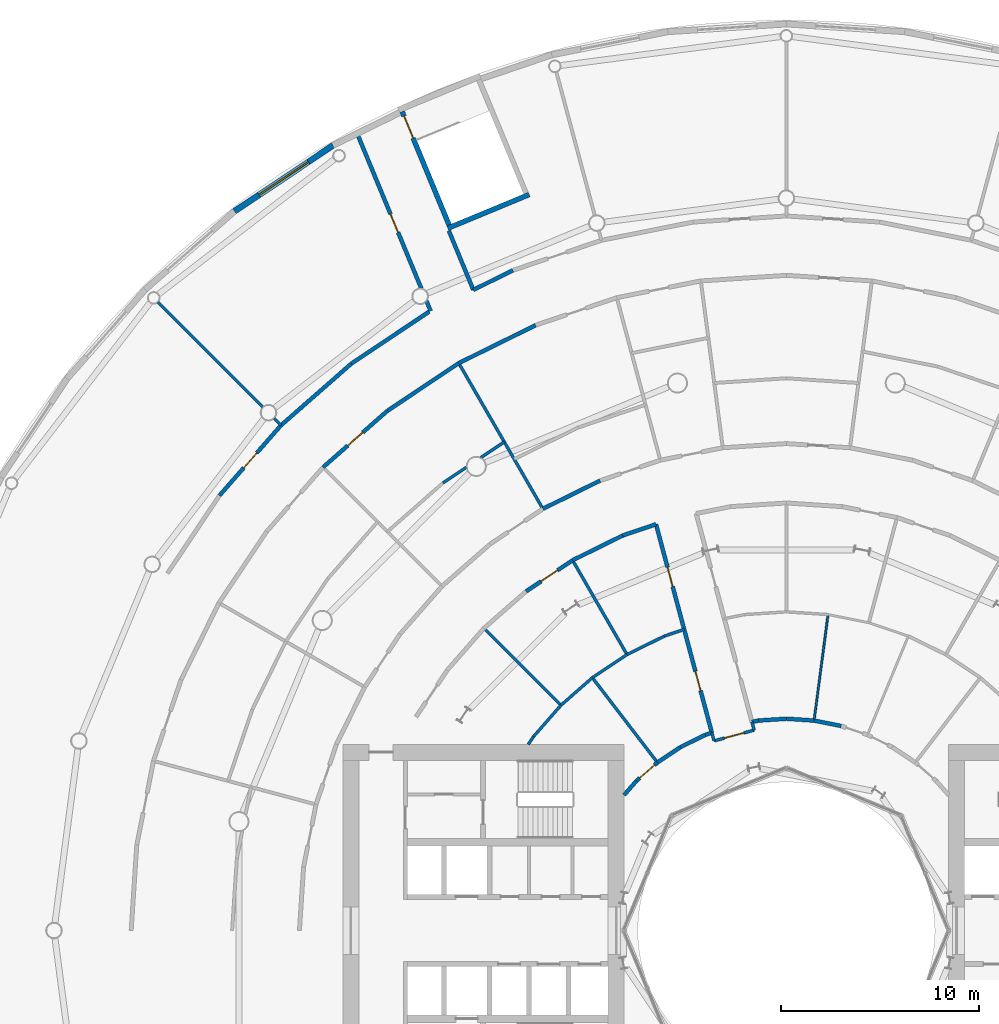
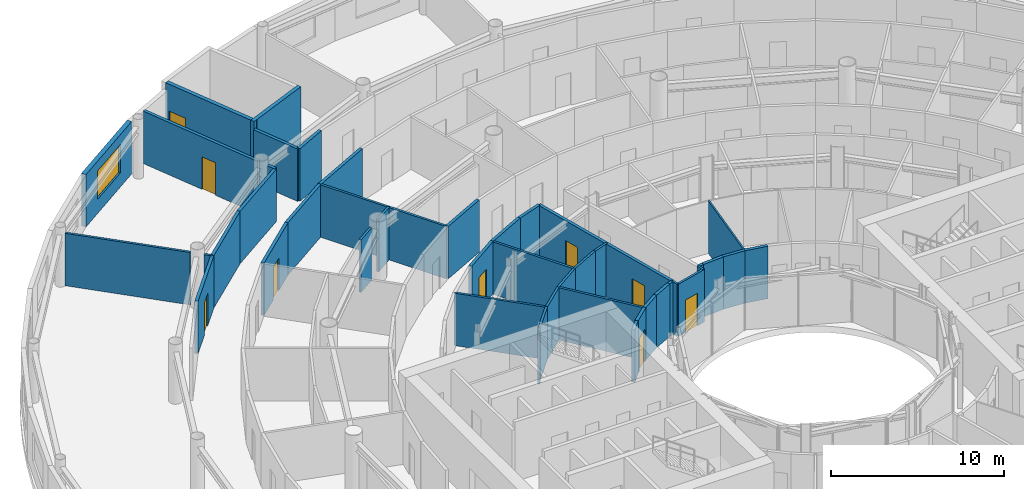
# One storey, part 20 of 29: 45 walls, 9 doors, 1 window, 10 openings.
"""IFC4 building model written with IfcOpenShell, lengths in metres."""

import ifcopenshell
import ifcopenshell.guid

model = None  # the IFC model being written
_history = None  # IfcOwnerHistory: only IFC2X3 demands one
_inside = {}  # id of a spatial element -> (the spatial element, [elements in it])
_under = {}  # id of a project, library or spatial element -> (it, [spatial elements below it])
_declared = {}  # id of a project -> (the project, [libraries it declares])
_typed = {}  # id of a type object -> (the type object, [elements of that type])
_made_of = {}  # id of a material, layer set ... -> (it, [elements and type objects made of it])


def new_model(schema):
    """Start an empty IFC model of exactly this schema.

    Asked for "IFC4X3", IfcOpenShell would pick the latest addendum, in which some entities
    have other attributes; the version numbers below select the first issue.
    IFC2X3 requires an IfcOwnerHistory on every rooted entity: one is made here for all.
    """
    global model, _history
    if schema == "IFC4X3":
        model = ifcopenshell.file(schema_version=(4, 3, 0, 0))
    else:
        model = ifcopenshell.file(schema=schema)
    _inside.clear()
    _under.clear()
    _declared.clear()
    _typed.clear()
    _made_of.clear()
    _history = None
    if model.schema == "IFC2X3":
        org = make("IfcOrganization", Name="unknown")
        user = make(
            "IfcPersonAndOrganization",
            ThePerson=make("IfcPerson", FamilyName="unknown"),
            TheOrganization=org,
        )
        app = make(
            "IfcApplication",
            ApplicationDeveloper=org,
            Version="unknown",
            ApplicationFullName="unknown",
            ApplicationIdentifier="unknown",
        )
        _history = make(
            "IfcOwnerHistory",
            OwningUser=user,
            OwningApplication=app,
            ChangeAction="ADDED",
            CreationDate=0,
        )
    return model


def make(cls, **values):
    """One entity of the class cls with the attributes given. An attribute that is None is left unset."""
    return model.create_entity(
        cls, **{name: value for name, value in values.items() if value is not None}
    )


def rooted(cls, **values):
    """An entity with a GlobalId (a new one), such as an element, a storey or a relation."""
    return make(cls, GlobalId=ifcopenshell.guid.new(), OwnerHistory=_history, **values)


def si_unit(unit_type, name, prefix=None):
    """IfcSIUnit, for example si_unit("LENGTHUNIT", "METRE", prefix="MILLI")."""
    return make("IfcSIUnit", UnitType=unit_type, Prefix=prefix, Name=name)


def assignment(units):
    """IfcUnitAssignment: the units of a project."""
    return None if units is None else make("IfcUnitAssignment", Units=units)


def point(xyz):
    """IfcCartesianPoint."""
    return None if xyz is None else make("IfcCartesianPoint", Coordinates=xyz)


def direction(xyz):
    """IfcDirection."""
    return None if xyz is None else make("IfcDirection", DirectionRatios=xyz)


def frame(location, z_axis=None, x_axis=None):
    """IfcAxis2Placement3D, a coordinate frame: its origin and axes. An axis left out is left unset."""
    return make(
        "IfcAxis2Placement3D",
        Location=point(location),
        Axis=direction(z_axis),
        RefDirection=direction(x_axis),
    )


def frame_2d(location, x_axis=None):
    """IfcAxis2Placement2D, a coordinate frame in the plane: its origin and x axis."""
    return make(
        "IfcAxis2Placement2D", Location=point(location), RefDirection=direction(x_axis)
    )


def origin():
    """The frame at (0, 0, 0) with its axes left unset."""
    return frame((0.0, 0.0, 0.0))


def place(relative_to, where):
    """IfcLocalPlacement: puts the frame where relative to a parent placement (None: the world)."""
    return make(
        "IfcLocalPlacement", PlacementRelTo=relative_to, RelativePlacement=where
    )


def context(
    kind, dimensions, precision=None, world=None, true_north=None, identifier=None
):
    """IfcGeometricRepresentationContext, for example the 3D "Model" context."""
    return make(
        "IfcGeometricRepresentationContext",
        ContextIdentifier=identifier,
        ContextType=kind,
        CoordinateSpaceDimension=dimensions,
        Precision=precision,
        WorldCoordinateSystem=world,
        TrueNorth=true_north,
    )


def subcontext(parent, identifier, kind, view, scale=None):
    """IfcGeometricRepresentationSubContext, for example "Body" below "Model"."""
    return make(
        "IfcGeometricRepresentationSubContext",
        ContextIdentifier=identifier,
        ContextType=kind,
        ParentContext=parent,
        TargetScale=scale,
        TargetView=view,
    )


def project(units=None, contexts=None):
    """IfcProject with its units and contexts."""
    return rooted(
        "IfcProject",
        Name="project",
        RepresentationContexts=contexts,
        UnitsInContext=assignment(units),
    )


def spatial(cls, under=None, at=None, **own):
    """A site, building, storey or space (cls), placed at a placement, below another one or the project."""
    s = rooted(cls, ObjectPlacement=at, **own)
    if under is not None:
        _under.setdefault(under.id(), (under, []))[1].append(s)
    return s


def profile(cls, at=None, kind="AREA", **sizes):
    """A parametric profile (cls). Its sizes go by their IFC names, for example OverallWidth=200.0."""
    return make(cls, ProfileType=kind, Position=at, **sizes)


def rectangle(**sizes):
    """IfcRectangleProfileDef."""
    return profile("IfcRectangleProfileDef", **sizes)


def extrude(swept, where, along, depth):
    """IfcExtrudedAreaSolid: the profile swept, set in the frame where, extruded along a direction by depth."""
    return make(
        "IfcExtrudedAreaSolid",
        SweptArea=swept,
        Position=where,
        ExtrudedDirection=direction(along),
        Depth=depth,
    )


def shape(context_of_items, identifier, shape_type, items):
    """IfcShapeRepresentation: the items that make up one representation, for example the "Body"."""
    return make(
        "IfcShapeRepresentation",
        ContextOfItems=context_of_items,
        RepresentationIdentifier=identifier,
        RepresentationType=shape_type,
        Items=items,
    )


def material(Name=None, Category=None):
    """IfcMaterial."""
    return make("IfcMaterial", Name=Name, Category=Category)


def layer(
    of_material, thickness, ventilated=None, Name=None, Category=None, Priority=None
):
    """IfcMaterialLayer: one layer of a wall or slab, of a material (None: an air gap)."""
    return make(
        "IfcMaterialLayer",
        Material=of_material,
        LayerThickness=thickness,
        IsVentilated=ventilated,
        Name=Name,
        Category=Category,
        Priority=Priority,
    )


def layer_set(layers, Name=None):
    """IfcMaterialLayerSet."""
    return make("IfcMaterialLayerSet", MaterialLayers=layers, LayerSetName=Name)


def made_of(thing, what):
    """Note that an element or type object is made of a material, layer set ...; save() writes the relation."""
    if what is not None:
        _made_of.setdefault(what.id(), (what, []))[1].append(thing)
    return thing


def type_object(cls, material=None, **own):
    """A type object (cls), such as IfcWallType, which elements share."""
    return made_of(rooted(cls, **own), material)


def element(
    cls,
    number,
    at=None,
    inside=None,
    cuts=None,
    type_object=None,
    material=None,
    context=None,
    identifier="Body",
    shape_type=None,
    held_by="IfcProductDefinitionShape",
    body=None,
    shapes=None,
    **own,
):
    """One element of the class cls, such as IfcWall. Its Tag is "e" and its number.

    at: its placement. inside: the storey or other place that contains it. cuts: it is an
    opening in that element (IfcRelVoidsElement). A single representation is given by context,
    identifier, shape_type and body (its items); several are given by shapes. held_by: the class
    of the entity that holds the representations. save() writes the other relations.
    """
    e = rooted(cls, Tag="e%d" % number, ObjectPlacement=at, **own)
    if body is not None:
        shapes = [shape(context, identifier, shape_type, body)]
    if shapes is not None:
        e.Representation = make(held_by, Representations=shapes)
    if inside is not None:
        _inside.setdefault(inside.id(), (inside, []))[1].append(e)
    if cuts is not None:
        rooted(
            "IfcRelVoidsElement", RelatingBuildingElement=cuts, RelatedOpeningElement=e
        )
    if type_object is not None:
        _typed.setdefault(type_object.id(), (type_object, []))[1].append(e)
    return made_of(e, material)


def fill(opening, filler):
    """IfcRelFillsElement: the door or window that sits in an opening."""
    return rooted(
        "IfcRelFillsElement",
        RelatingOpeningElement=opening,
        RelatedBuildingElement=filler,
    )


def aggregate(whole, parts):
    """IfcRelAggregates: a whole, such as a stair, and the parts it consists of."""
    return rooted("IfcRelAggregates", RelatingObject=whole, RelatedObjects=parts)


def save(model, path):
    """Write the relations noted so far, then the file.

    IfcRelAggregates (storeys below a building ...), IfcRelContainedInSpatialStructure (elements
    in a storey), IfcRelDefinesByType, IfcRelAssociatesMaterial and IfcRelDeclares: one each for
    every whole, place, type object, material and project.
    """
    for whole, parts in _under.values():
        aggregate(whole, parts)
    for where, things in _inside.values():
        rooted(
            "IfcRelContainedInSpatialStructure",
            RelatedElements=things,
            RelatingStructure=where,
        )
    for kind, things in _typed.values():
        rooted("IfcRelDefinesByType", RelatedObjects=things, RelatingType=kind)
    for what, things in _made_of.values():
        rooted("IfcRelAssociatesMaterial", RelatedObjects=things, RelatingMaterial=what)
    for by, libraries in _declared.values():
        rooted("IfcRelDeclares", RelatingContext=by, RelatedDefinitions=libraries)
    model.write(path)


model = new_model("IFC4")

# Units and contexts
model_context = context("Model", 3, precision=1e-05, world=origin(), true_north=direction((0.0, 1.0)))
body_context = subcontext(model_context, "Body", "Model", "MODEL_VIEW")
ifc_project = project(units=[si_unit("LENGTHUNIT", "METRE"), si_unit("AREAUNIT", "SQUARE_METRE"), si_unit("VOLUMEUNIT", "CUBIC_METRE"), si_unit("PLANEANGLEUNIT", "RADIAN"), si_unit("MASSUNIT", "GRAM", prefix="KILO")], contexts=[model_context])

# Site, building, storey
site_placement = place(None, origin())
site = spatial("IfcSite", under=ifc_project, at=site_placement, CompositionType="ELEMENT")
building_placement = place(site_placement, origin())
building = spatial("IfcBuilding", under=site, at=building_placement, Name="Maasbend Ring Residences", CompositionType="ELEMENT")
storey_placement = place(building_placement, frame((0.0, 0.0, 5.39990234375)))
storey = spatial("IfcBuildingStorey", under=building, at=storey_placement, Name="L01", CompositionType="ELEMENT", Elevation=5.39990234375)

# Wall, opening, door
ifc_material_1 = material(Name="Concrete C70/85", Category="concrete")
ifc_layer_1 = layer(ifc_material_1, 0.25)
ifc_layer_set_1 = layer_set([ifc_layer_1], Name="Concrete C70/85")
wall_type_1 = type_object("IfcWallType", Name="CORE WALL 250 C70/85", PredefinedType="SHEAR", material=ifc_layer_set_1)
wall_1_placement = place(storey_placement, frame((-19.40966796875, 41.37158203125, 0.0), z_axis=(0.0, 0.0, 1.0), x_axis=(0.382666023753, -0.923886743203, 0.0)))
wall_1 = element("IfcWall", 1, at=wall_1_placement, inside=storey, type_object=wall_type_1, Name="L01 ST-P1 enclosure wall WS+", PredefinedType="SHEAR", context=body_context, shape_type="SweptSolid", body=[
    extrude(rectangle(XDim=6.4501953125, YDim=0.25, at=frame_2d((3.22509765625, 0.0))), origin(), (0.0, 0.0, 1.0), 4.2001953125),
])
opening_1_placement = place(wall_1_placement, frame((0.25, 0.0, 0.0)))
opening_1 = element("IfcOpeningElement", 2, at=opening_1_placement, cuts=wall_1, Name="Opening D-P101S", PredefinedType="OPENING", context=body_context, shape_type="SweptSolid", body=[
    extrude(rectangle(XDim=1.199951171875, YDim=2.300048828125, at=frame_2d((0.60009765625, 1.14990234375))), frame((0.0, 0.135009765625, 0.0), z_axis=(0.0, -1.0, 0.0), x_axis=(1.0, 0.0, 0.0)), (0.0, 0.0, 1.0), 0.27001953125),
])
ifc_material_2 = material(Name="Steel, powder coated", Category="steel")
door_type_1 = type_object("IfcDoorType", Name="STAIR DOOR 1200 X 2300 FD60", OperationType="NOTDEFINED", PredefinedType="DOOR", material=ifc_material_2)
door_1_placement = place(opening_1_placement, origin())
door_1 = element("IfcDoor", 3, at=door_1_placement, inside=storey, type_object=door_type_1, Name="Stair door ST-P1 L01", OperationType="SINGLE_SWING_RIGHT", OverallHeight=2.300048828125, OverallWidth=1.199951171875, PredefinedType="DOOR", context=body_context, shape_type="SweptSolid", body=[
    extrude(rectangle(XDim=1.199951171875, YDim=2.300048828125, at=frame_2d((0.60009765625, 1.14990234375))), frame((0.0, 0.02490234375, 0.0), z_axis=(0.0, -1.0, 0.0), x_axis=(1.0, 0.0, 0.0)), (0.0, 0.0, 1.0), 0.050048828125),
])
fill(opening_1, door_1)

# Wall
wall_2_placement = place(storey_placement, frame((-12.993408203125, 37.18310546875, 0.0), z_axis=(0.0, 0.0, 1.0), x_axis=(-0.923867048273, -0.382713570591, 0.0)))
element("IfcWall", 4, at=wall_2_placement, inside=storey, type_object=wall_type_1, Name="L01 ST-P1 enclosure wall WIN", PredefinedType="SHEAR", context=body_context, shape_type="SweptSolid", body=[
    extrude(rectangle(XDim=4.4501953125, YDim=0.25, at=frame_2d((2.22509765625, 0.0))), origin(), (0.0, 0.0, 1.0), 4.2001953125),
])

# Wall, opening, door
ifc_material_3 = material(Name="Concrete C30/37", Category="concrete")
ifc_layer_2 = layer(ifc_material_3, 0.199951171875)
ifc_layer_set_2 = layer_set([ifc_layer_2], Name="Concrete C30/37")
wall_type_2 = type_object("IfcWallType", Name="CORRIDOR WALL 200 CONCRETE", PredefinedType="PARTITIONING", material=ifc_layer_set_2)
wall_3_placement = place(storey_placement, frame((-21.64501953125, 40.172119140625, 0.0), z_axis=(0.0, 0.0, 1.0), x_axis=(0.382636845375, -0.923898828098, 0.0)))
wall_3 = element("IfcWall", 5, at=wall_3_placement, inside=storey, type_object=wall_type_2, Name="U-L01-w121", PredefinedType="PARTITIONING", context=body_context, shape_type="SweptSolid", body=[
    extrude(rectangle(XDim=8.37109375, YDim=0.199951171875, at=frame_2d((4.185546875, 0.0))), origin(), (0.0, 0.0, 1.0), 3.7001953125),
])
opening_2_placement = place(wall_3_placement, frame((4.300048828125, 0.0, 0.0)))
opening_2 = element("IfcOpeningElement", 6, at=opening_2_placement, cuts=wall_3, Name="Opening D-0177", PredefinedType="OPENING", context=body_context, shape_type="SweptSolid", body=[
    extrude(rectangle(XDim=1.0, YDim=2.300048828125, at=frame_2d((0.5, 1.14990234375))), frame((0.0, 0.10986328125, 0.0), z_axis=(0.0, -1.0, 0.0), x_axis=(1.0, 0.0, 0.0)), (0.0, 0.0, 1.0), 0.219970703125),
])
ifc_material_4 = material(Name="Timber, painted", Category="wood")
door_type_2 = type_object("IfcDoorType", Name="ROOM DOOR 1000 X 2300", OperationType="NOTDEFINED", PredefinedType="DOOR", material=ifc_material_4)
door_2_placement = place(opening_2_placement, origin())
door_2 = element("IfcDoor", 7, at=door_2_placement, inside=storey, type_object=door_type_2, Name="D-0177", OperationType="SINGLE_SWING_RIGHT", OverallHeight=2.300048828125, OverallWidth=1.0, PredefinedType="DOOR", context=body_context, shape_type="SweptSolid", body=[
    extrude(rectangle(XDim=1.0, YDim=2.300048828125, at=frame_2d((0.5, 1.14990234375))), frame((0.0, 0.02490234375, 0.0), z_axis=(0.0, -1.0, 0.0), x_axis=(1.0, 0.0, 0.0)), (0.0, 0.0, 1.0), 0.050048828125),
])
fill(opening_2, door_2)

# Walls
wall_4_placement = place(storey_placement, frame((-18.179931640625, 31.803955078125, 0.0), z_axis=(0.0, 0.0, 1.0), x_axis=(0.382827984663, -0.92381964374, 0.0)))
element("IfcWall", 8, at=wall_4_placement, inside=storey, type_object=wall_type_2, Name="U-L01-w122", PredefinedType="PARTITIONING", context=body_context, shape_type="SweptSolid", body=[
    extrude(rectangle(XDim=0.54345703125, YDim=0.199951171875, at=frame_2d((0.271728515625, 0.0))), origin(), (0.0, 0.0, 1.0), 3.7001953125),
])
wall_5_placement = place(storey_placement, frame((-17.049072265625, 35.345947265625, 0.0), z_axis=(0.0, 0.0, 1.0), x_axis=(0.382625882863, -0.923903368196, 0.0)))
element("IfcWall", 9, at=wall_5_placement, inside=storey, type_object=wall_type_2, Name="U-L01-w124", PredefinedType="PARTITIONING", context=body_context, shape_type="SweptSolid", body=[
    extrude(rectangle(XDim=3.225341796875, YDim=0.199951171875, at=frame_2d((1.61279296875, 0.0))), origin(), (0.0, 0.0, 1.0), 3.7001953125),
])

# Wall, openings, doors
wall_6_placement = place(storey_placement, frame((-6.5859375, 20.52587890625, 0.0), z_axis=(0.0, 0.0, 1.0), x_axis=(0.258806989903, -0.965929056389, 0.0)))
wall_6 = element("IfcWall", 10, at=wall_6_placement, inside=storey, type_object=wall_type_2, Name="U-L01-w125", PredefinedType="PARTITIONING", context=body_context, shape_type="SweptSolid", body=[
    extrude(rectangle(XDim=10.900146484375, YDim=0.199951171875, at=frame_2d((5.4501953125, 0.0))), origin(), (0.0, 0.0, 1.0), 3.7001953125),
])
opening_3_placement = place(wall_6_placement, frame((7.699951171875, 0.0, 0.0)))
opening_3 = element("IfcOpeningElement", 11, at=opening_3_placement, cuts=wall_6, Name="Opening D-0107", PredefinedType="OPENING", context=body_context, shape_type="SweptSolid", body=[
    extrude(rectangle(XDim=1.0, YDim=2.300048828125, at=frame_2d((0.5, 1.14990234375))), frame((0.0, 0.10986328125, 0.0), z_axis=(0.0, -1.0, 0.0), x_axis=(1.0, 0.0, 0.0)), (0.0, 0.0, 1.0), 0.219970703125),
])
opening_4_placement = place(wall_6_placement, frame((2.25, 0.0, 0.0)))
opening_4 = element("IfcOpeningElement", 12, at=opening_4_placement, cuts=wall_6, Name="Opening D-0119", PredefinedType="OPENING", context=body_context, shape_type="SweptSolid", body=[
    extrude(rectangle(XDim=1.0, YDim=2.300048828125, at=frame_2d((0.5, 1.14990234375))), frame((0.0, 0.10986328125, 0.0), z_axis=(0.0, -1.0, 0.0), x_axis=(1.0, 0.0, 0.0)), (0.0, 0.0, 1.0), 0.219970703125),
])
door_3_placement = place(opening_3_placement, origin())
door_3 = element("IfcDoor", 13, at=door_3_placement, inside=storey, type_object=door_type_2, Name="D-0107", OperationType="SINGLE_SWING_RIGHT", OverallHeight=2.300048828125, OverallWidth=1.0, PredefinedType="DOOR", context=body_context, shape_type="SweptSolid", body=[
    extrude(rectangle(XDim=1.0, YDim=2.300048828125, at=frame_2d((0.5, 1.14990234375))), frame((0.0, 0.02490234375, 0.0), z_axis=(0.0, -1.0, 0.0), x_axis=(1.0, 0.0, 0.0)), (0.0, 0.0, 1.0), 0.050048828125),
])
fill(opening_3, door_3)
door_4_placement = place(opening_4_placement, origin())
door_4 = element("IfcDoor", 14, at=door_4_placement, inside=storey, type_object=door_type_2, Name="D-0119", OperationType="SINGLE_SWING_LEFT", OverallHeight=2.300048828125, OverallWidth=1.0, PredefinedType="DOOR", context=body_context, shape_type="SweptSolid", body=[
    extrude(rectangle(XDim=1.0, YDim=2.300048828125, at=frame_2d((0.5, 1.14990234375))), frame((0.0, 0.02490234375, 0.0), z_axis=(0.0, -1.0, 0.0), x_axis=(1.0, 0.0, 0.0)), (0.0, 0.0, 1.0), 0.050048828125),
])
fill(opening_4, door_4)

# Wall
wall_7_placement = place(storey_placement, frame((-8.199951171875, 6.843017578125, 0.0), z_axis=(0.0, 0.0, 1.0), x_axis=(0.659384951594, 0.751805483893, 0.0)))
element("IfcWall", 15, at=wall_7_placement, inside=storey, type_object=wall_type_2, Name="U-L01-w194", PredefinedType="PARTITIONING", context=body_context, shape_type="SweptSolid", body=[
    extrude(rectangle(XDim=0.961669921875, YDim=0.199951171875, at=frame_2d((0.48095703125, 0.0))), origin(), (0.0, 0.0, 1.0), 3.7001953125),
])

# Wall, opening, door
wall_8_placement = place(storey_placement, frame((-7.56591796875, 7.56591796875, 0.0), z_axis=(0.0, 0.0, 1.0), x_axis=(0.751657456611, 0.65955368843, 0.0)))
wall_8 = element("IfcWall", 16, at=wall_8_placement, inside=storey, type_object=wall_type_2, Name="U-L01-w195", PredefinedType="PARTITIONING", context=body_context, shape_type="SweptSolid", body=[
    extrude(rectangle(XDim=1.399658203125, YDim=0.199951171875, at=frame_2d((0.69970703125, 0.0))), origin(), (0.0, 0.0, 1.0), 3.7001953125),
])
opening_5_placement = place(wall_8_placement, frame((0.199951171875, 0.0, 0.0)))
opening_5 = element("IfcOpeningElement", 17, at=opening_5_placement, cuts=wall_8, Name="Opening D-0108", PredefinedType="OPENING", context=body_context, shape_type="SweptSolid", body=[
    extrude(rectangle(XDim=1.0, YDim=2.300048828125, at=frame_2d((0.5, 1.14990234375))), frame((0.0, 0.10986328125, 0.0), z_axis=(0.0, -1.0, 0.0), x_axis=(1.0, 0.0, 0.0)), (0.0, 0.0, 1.0), 0.219970703125),
])
door_5_placement = place(opening_5_placement, origin())
door_5 = element("IfcDoor", 18, at=door_5_placement, inside=storey, type_object=door_type_2, Name="D-0108", OperationType="SINGLE_SWING_LEFT", OverallHeight=2.300048828125, OverallWidth=1.0, PredefinedType="DOOR", context=body_context, shape_type="SweptSolid", body=[
    extrude(rectangle(XDim=1.0, YDim=2.300048828125, at=frame_2d((0.5, 1.14990234375))), frame((0.0, 0.02490234375, 0.0), z_axis=(0.0, -1.0, 0.0), x_axis=(1.0, 0.0, 0.0)), (0.0, 0.0, 1.0), 0.050048828125),
])
fill(opening_5, door_5)

# Walls
wall_9_placement = place(storey_placement, frame((-6.513916015625, 8.489013671875, 0.0), z_axis=(0.0, 0.0, 1.0), x_axis=(0.831647476803, 0.555303947696, 0.0)))
element("IfcWall", 19, at=wall_9_placement, inside=storey, type_object=wall_type_2, Name="U-L01-w196", PredefinedType="PARTITIONING", context=body_context, shape_type="SweptSolid", body=[
    extrude(rectangle(XDim=1.3994140625, YDim=0.199951171875, at=frame_2d((0.69970703125, 0.0))), origin(), (0.0, 0.0, 1.0), 3.7001953125),
])
wall_10_placement = place(storey_placement, frame((-5.35009765625, 9.26611328125, 0.0), z_axis=(0.0, 0.0, 1.0), x_axis=(0.896613890545, 0.442813201341, 0.0)))
element("IfcWall", 20, at=wall_10_placement, inside=storey, type_object=wall_type_2, Name="U-L01-w197", PredefinedType="PARTITIONING", context=body_context, shape_type="SweptSolid", body=[
    extrude(rectangle(XDim=1.39990234375, YDim=0.199951171875, at=frame_2d((0.699951171875, 0.0))), origin(), (0.0, 0.0, 1.0), 3.7001953125),
])
wall_11_placement = place(storey_placement, frame((-4.094970703125, 9.885986328125, 0.0), z_axis=(0.0, 0.0, 1.0), x_axis=(0.947409668882, 0.320023310572, 0.0)))
element("IfcWall", 21, at=wall_11_placement, inside=storey, type_object=wall_type_2, Name="U-L01-w198", PredefinedType="PARTITIONING", context=body_context, shape_type="SweptSolid", body=[
    extrude(rectangle(XDim=0.34716796875, YDim=0.199951171875, at=frame_2d((0.173583984375, 0.0))), origin(), (0.0, 0.0, 1.0), 3.7001953125),
])
wall_12_placement = place(storey_placement, frame((-1.737060546875, 10.5400390625, 0.0), z_axis=(0.0, 0.0, 1.0), x_axis=(0.980661821505, 0.195709968685, 0.0)))
element("IfcWall", 22, at=wall_12_placement, inside=storey, type_object=wall_type_2, Name="U-L01-w199", PredefinedType="PARTITIONING", context=body_context, shape_type="SweptSolid", body=[
    extrude(rectangle(XDim=0.3466796875, YDim=0.199951171875, at=frame_2d((0.17333984375, 0.0))), origin(), (0.0, 0.0, 1.0), 3.7001953125),
])
for number, where, z_axis, x_axis, name in (
    (23, (-1.39697265625, 10.60791015625, 0.0), (0.0, 0.0, 1.0), (0.997836555004, 0.065743512974, 0.0), "U-L01-w200"),
    (24, (0.0, 10.699951171875, 0.0), (0.0, 0.0, 1.0), (0.997836555004, -0.065743512974, 0.0), "U-L01-w201"),
):
    element("IfcWall", number, at=place(storey_placement, frame(where, z_axis=z_axis, x_axis=x_axis)), inside=storey, type_object=wall_type_2, Name=name, PredefinedType="PARTITIONING", context=body_context, shape_type="SweptSolid", body=[
        extrude(rectangle(XDim=1.39990234375, YDim=0.199951171875, at=frame_2d((0.699951171875, 0.0))), origin(), (0.0, 0.0, 1.0), 3.7001953125),
    ])
wall_13_placement = place(storey_placement, frame((1.39697265625, 10.60791015625, 0.0), z_axis=(0.0, 0.0, 1.0), x_axis=(0.98078152375, -0.195109207038, 0.0)))
element("IfcWall", 25, at=wall_13_placement, inside=storey, type_object=wall_type_2, Name="U-L01-w202", PredefinedType="PARTITIONING", context=body_context, shape_type="SweptSolid", body=[
    extrude(rectangle(XDim=1.39892578125, YDim=0.199951171875, at=frame_2d((0.699462890625, 0.0))), origin(), (0.0, 0.0, 1.0), 3.7001953125),
])

# Wall, opening, door
wall_14_placement = place(storey_placement, frame((-13.14892578125, 17.135986328125, 0.0), z_axis=(0.0, 0.0, 1.0), x_axis=(0.831371669473, 0.55571678686, 0.0)))
wall_14 = element("IfcWall", 26, at=wall_14_placement, inside=storey, type_object=wall_type_2, Name="U-L01-w227", PredefinedType="PARTITIONING", context=body_context, shape_type="SweptSolid", body=[
    extrude(rectangle(XDim=2.8251953125, YDim=0.199951171875, at=frame_2d((1.41259765625, 0.0))), origin(), (0.0, 0.0, 1.0), 3.7001953125),
])
opening_6_placement = place(wall_14_placement, frame((0.9130859375, 0.0, 0.0)))
opening_6 = element("IfcOpeningElement", 27, at=opening_6_placement, cuts=wall_14, Name="Opening D-0120", PredefinedType="OPENING", context=body_context, shape_type="SweptSolid", body=[
    extrude(rectangle(XDim=1.0, YDim=2.300048828125, at=frame_2d((0.5, 1.14990234375))), frame((0.0, 0.10986328125, 0.0), z_axis=(0.0, -1.0, 0.0), x_axis=(1.0, 0.0, 0.0)), (0.0, 0.0, 1.0), 0.219970703125),
])
door_6_placement = place(opening_6_placement, origin())
door_6 = element("IfcDoor", 28, at=door_6_placement, inside=storey, type_object=door_type_2, Name="D-0120", OperationType="SINGLE_SWING_RIGHT", OverallHeight=2.300048828125, OverallWidth=1.0, PredefinedType="DOOR", context=body_context, shape_type="SweptSolid", body=[
    extrude(rectangle(XDim=1.0, YDim=2.300048828125, at=frame_2d((0.5, 1.14990234375))), frame((0.0, 0.02490234375, 0.0), z_axis=(0.0, -1.0, 0.0), x_axis=(1.0, 0.0, 0.0)), (0.0, 0.0, 1.0), 0.050048828125),
])
fill(opening_6, door_6)

# Walls
wall_15_placement = place(storey_placement, frame((-10.800048828125, 18.7060546875, 0.0), z_axis=(0.0, 0.0, 1.0), x_axis=(0.896816398134, 0.442402924988, 0.0)))
element("IfcWall", 29, at=wall_15_placement, inside=storey, type_object=wall_type_2, Name="U-L01-w228", PredefinedType="PARTITIONING", context=body_context, shape_type="SweptSolid", body=[
    extrude(rectangle(XDim=2.825439453125, YDim=0.199951171875, at=frame_2d((1.41259765625, 0.0))), origin(), (0.0, 0.0, 1.0), 3.7001953125),
])
wall_16_placement = place(storey_placement, frame((-8.26611328125, 19.9560546875, 0.0), z_axis=(0.0, 0.0, 1.0), x_axis=(0.946962242055, 0.321344849223, 0.0)))
element("IfcWall", 30, at=wall_16_placement, inside=storey, type_object=wall_type_2, Name="U-L01-w229", PredefinedType="PARTITIONING", context=body_context, shape_type="SweptSolid", body=[
    extrude(rectangle(XDim=1.773193359375, YDim=0.199951171875, at=frame_2d((0.88671875, 0.0))), origin(), (0.0, 0.0, 1.0), 3.7001953125),
])
wall_17_placement = place(storey_placement, frame((-12.300048828125, 21.303955078125, 0.0), z_axis=(0.0, 0.0, 1.0), x_axis=(0.896886949195, 0.442259878763, 0.0)))
element("IfcWall", 31, at=wall_17_placement, inside=storey, type_object=wall_type_2, Name="U-L01-w248", PredefinedType="PARTITIONING", context=body_context, shape_type="SweptSolid", body=[
    extrude(rectangle(XDim=3.2177734375, YDim=0.199951171875, at=frame_2d((1.60888671875, 0.0))), origin(), (0.0, 0.0, 1.0), 3.7001953125),
])

# Wall, opening, door
wall_18_placement = place(storey_placement, frame((-23.405029296875, 23.405029296875, 0.0), z_axis=(0.0, 0.0, 1.0), x_axis=(0.75180422834, 0.659386383125, 0.0)))
wall_18 = element("IfcWall", 32, at=wall_18_placement, inside=storey, type_object=wall_type_2, Name="U-L01-w289", PredefinedType="PARTITIONING", context=body_context, shape_type="SweptSolid", body=[
    extrude(rectangle(XDim=4.329833984375, YDim=0.199951171875, at=frame_2d((2.1650390625, 0.0))), origin(), (0.0, 0.0, 1.0), 3.7001953125),
])
opening_7_placement = place(wall_18_placement, frame((1.6650390625, 0.0, 0.0)))
opening_7 = element("IfcOpeningElement", 33, at=opening_7_placement, cuts=wall_18, Name="Opening D-0147", PredefinedType="OPENING", context=body_context, shape_type="SweptSolid", body=[
    extrude(rectangle(XDim=1.0, YDim=2.300048828125, at=frame_2d((0.5, 1.14990234375))), frame((0.0, 0.10986328125, 0.0), z_axis=(0.0, -1.0, 0.0), x_axis=(1.0, 0.0, 0.0)), (0.0, 0.0, 1.0), 0.219970703125),
])
door_7_placement = place(opening_7_placement, origin())
door_7 = element("IfcDoor", 34, at=door_7_placement, inside=storey, type_object=door_type_2, Name="D-0147", OperationType="SINGLE_SWING_RIGHT", OverallHeight=2.300048828125, OverallWidth=1.0, PredefinedType="DOOR", context=body_context, shape_type="SweptSolid", body=[
    extrude(rectangle(XDim=1.0, YDim=2.300048828125, at=frame_2d((0.5, 1.14990234375))), frame((0.0, 0.02490234375, 0.0), z_axis=(0.0, -1.0, 0.0), x_axis=(1.0, 0.0, 0.0)), (0.0, 0.0, 1.0), 0.050048828125),
])
fill(opening_7, door_7)

# Walls
wall_19_placement = place(storey_placement, frame((-20.14990234375, 26.260009765625, 0.0), z_axis=(0.0, 0.0, 1.0), x_axis=(0.831503319646, 0.555519783102, 0.0)))
element("IfcWall", 35, at=wall_19_placement, inside=storey, type_object=wall_type_2, Name="U-L01-w290", PredefinedType="PARTITIONING", context=body_context, shape_type="SweptSolid", body=[
    extrude(rectangle(XDim=4.329345703125, YDim=0.199951171875, at=frame_2d((2.16455078125, 0.0))), origin(), (0.0, 0.0, 1.0), 3.7001953125),
])
wall_20_placement = place(storey_placement, frame((-16.550048828125, 28.6650390625, 0.0), z_axis=(0.0, 0.0, 1.0), x_axis=(0.89686106512, 0.442312366853, 0.0)))
element("IfcWall", 36, at=wall_20_placement, inside=storey, type_object=wall_type_2, Name="U-L01-w291", PredefinedType="PARTITIONING", context=body_context, shape_type="SweptSolid", body=[
    extrude(rectangle(XDim=4.32958984375, YDim=0.199951171875, at=frame_2d((2.164794921875, 0.0))), origin(), (0.0, 0.0, 1.0), 3.7001953125),
])

# Wall, opening, door
wall_21_placement = place(storey_placement, frame((-28.639892578125, 21.97607421875, 0.0), z_axis=(0.0, 0.0, 1.0), x_axis=(0.659181480716, 0.751983893099, 0.0)))
wall_21 = element("IfcWall", 37, at=wall_21_placement, inside=storey, type_object=wall_type_2, Name="U-L01-w304", PredefinedType="PARTITIONING", context=body_context, shape_type="SweptSolid", body=[
    extrude(rectangle(XDim=4.72216796875, YDim=0.199951171875, at=frame_2d((2.361083984375, 0.0))), origin(), (0.0, 0.0, 1.0), 3.7001953125),
])
opening_8_placement = place(wall_21_placement, frame((1.861083984375, 0.0, 0.0)))
opening_8 = element("IfcOpeningElement", 38, at=opening_8_placement, cuts=wall_21, Name="Opening D-0178", PredefinedType="OPENING", context=body_context, shape_type="SweptSolid", body=[
    extrude(rectangle(XDim=1.0, YDim=2.300048828125, at=frame_2d((0.5, 1.14990234375))), frame((0.0, 0.10986328125, 0.0), z_axis=(0.0, -1.0, 0.0), x_axis=(1.0, 0.0, 0.0)), (0.0, 0.0, 1.0), 0.219970703125),
])
door_8_placement = place(opening_8_placement, origin())
door_8 = element("IfcDoor", 39, at=door_8_placement, inside=storey, type_object=door_type_2, Name="D-0178", OperationType="SINGLE_SWING_RIGHT", OverallHeight=2.300048828125, OverallWidth=1.0, PredefinedType="DOOR", context=body_context, shape_type="SweptSolid", body=[
    extrude(rectangle(XDim=1.0, YDim=2.300048828125, at=frame_2d((0.5, 1.14990234375))), frame((0.0, 0.02490234375, 0.0), z_axis=(0.0, -1.0, 0.0), x_axis=(1.0, 0.0, 0.0)), (0.0, 0.0, 1.0), 0.050048828125),
])
fill(opening_8, door_8)

# Walls
for number, where, z_axis, x_axis, name in (
    (40, (-25.527099609375, 25.527099609375, 0.0), (0.0, 0.0, 1.0), (0.751983893099, 0.659181480716, 0.0), "U-L01-w305"),
    (41, (-21.97607421875, 28.639892578125, 0.0), (0.0, 0.0, 1.0), (0.831397496099, 0.555678147384, 0.0), "U-L01-w306"),
):
    element("IfcWall", number, at=place(storey_placement, frame(where, z_axis=z_axis, x_axis=x_axis)), inside=storey, type_object=wall_type_2, Name=name, PredefinedType="PARTITIONING", context=body_context, shape_type="SweptSolid", body=[
        extrude(rectangle(XDim=4.72216796875, YDim=0.199951171875, at=frame_2d((2.361083984375, 0.0))), origin(), (0.0, 0.0, 1.0), 3.7001953125),
    ])
wall_22_placement = place(storey_placement, frame((-15.81494140625, 32.365966796875, 0.0), z_axis=(0.0, 0.0, 1.0), x_axis=(0.896909538441, 0.442214065645, 0.0)))
element("IfcWall", 42, at=wall_22_placement, inside=storey, type_object=wall_type_2, Name="U-L01-w307", PredefinedType="PARTITIONING", context=body_context, shape_type="SweptSolid", body=[
    extrude(rectangle(XDim=2.22998046875, YDim=0.199951171875, at=frame_2d((1.114990234375, 0.0))), origin(), (0.0, 0.0, 1.0), 3.7001953125),
])

# Wall, opening, window
ifc_material_5 = material(Name="Pale anodised aluminium panel", Category="aluminium")
ifc_layer_3 = layer(ifc_material_5, 0.300048828125)
ifc_layer_set_3 = layer_set([ifc_layer_3], Name="EW-BASE")
wall_type_3 = type_object("IfcWallType", Name="EW-BASE", PredefinedType="SOLIDWALL", material=ifc_layer_set_3)
wall_23_placement = place(storey_placement, frame((-22.89990234375, 39.6640625, 0.0), z_axis=(0.0, 0.0, 1.0), x_axis=(-0.831485590074, -0.55554631985, 0.0)))
wall_23 = element("IfcWall", 43, at=wall_23_placement, inside=storey, type_object=wall_type_3, Name="Base block wall 17", PredefinedType="SOLIDWALL", context=body_context, shape_type="SweptSolid", body=[
    extrude(rectangle(XDim=5.99072265625, YDim=0.300048828125, at=frame_2d((2.995361328125, 0.0))), origin(), (0.0, 0.0, 1.0), 3.7001953125),
])
opening_9_placement = place(wall_23_placement, frame((1.495361328125, 0.0, 1.0)))
opening_9 = element("IfcOpeningElement", 44, at=opening_9_placement, cuts=wall_23, Name="Opening W-PB", PredefinedType="OPENING", context=body_context, shape_type="SweptSolid", body=[
    extrude(rectangle(XDim=3.0, YDim=2.0, at=frame_2d((1.5, 1.0))), frame((0.0, 0.16015625, 0.0), z_axis=(0.0, -1.0, 0.0), x_axis=(1.0, 0.0, 0.0)), (0.0, 0.0, 1.0), 0.320068359375),
])
ifc_material_6 = material(Name="Aluminium and clear glass", Category="aluminium")
window_type = type_object("IfcWindowType", Name="W-PB", PartitioningType="SINGLE_PANEL", PredefinedType="WINDOW", material=ifc_material_6)
window_placement = place(opening_9_placement, origin())
window = element("IfcWindow", 45, at=window_placement, inside=storey, type_object=window_type, Name="Base block window 17", OverallHeight=2.0, OverallWidth=3.0, PartitioningType="SINGLE_PANEL", PredefinedType="WINDOW", context=body_context, shape_type="SweptSolid", body=[
    extrude(rectangle(XDim=3.0, YDim=2.0, at=frame_2d((1.5, 1.0))), frame((0.0, 0.030029296875, 0.0), z_axis=(0.0, -1.0, 0.0), x_axis=(1.0, 0.0, 0.0)), (0.0, 0.0, 1.0), 0.06005859375),
])
fill(opening_9, window)

# Walls
ifc_material_7 = material(Name="Gypsum board on steel studs", Category="steel")
ifc_layer_4 = layer(ifc_material_7, 0.10009765625)
ifc_layer_set_4 = layer_set([ifc_layer_4], Name="PARTITION 100 GYPSUM")
wall_type_4 = type_object("IfcWallType", Name="PARTITION 100 GYPSUM", PredefinedType="PARTITIONING", material=ifc_layer_set_4)
wall_24_placement = place(storey_placement, frame((1.40087890625, 10.60693359375, 0.0), z_axis=(0.0, 0.0, 1.0), x_axis=(0.130386681336, 0.991463218345, 0.0)))
element("IfcWall", 46, at=wall_24_placement, inside=storey, type_object=wall_type_4, Name="U-L01-w129", PredefinedType="PARTITIONING", context=body_context, shape_type="SweptSolid", body=[
    extrude(rectangle(XDim=5.400146484375, YDim=0.10009765625, at=frame_2d((2.7001953125, 0.0))), origin(), (0.0, 0.0, 1.0), 3.7001953125),
])
ifc_material_8 = material(Name="Gypsum board on steel studs", Category="steel")
ifc_layer_5 = layer(ifc_material_8, 0.14990234375)
ifc_layer_set_5 = layer_set([ifc_layer_5], Name="PARTITION 150 GYPSUM")
wall_type_5 = type_object("IfcWallType", Name="PARTITION 150 GYPSUM", PredefinedType="PARTITIONING", material=ifc_layer_set_5)
wall_25_placement = place(storey_placement, frame((-3.764892578125, 9.9970703125, 0.0), z_axis=(0.0, 0.0, 1.0), x_axis=(0.257450874592, -0.966291388336, 0.0)))
element("IfcWall", 47, at=wall_25_placement, inside=storey, type_object=wall_type_5, Name="U-L01-w126", PredefinedType="PARTITIONING", context=body_context, shape_type="SweptSolid", body=[
    extrude(rectangle(XDim=0.430419921875, YDim=0.14990234375, at=frame_2d((0.21533203125, 0.0))), origin(), (0.0, 0.0, 1.0), 3.7001953125),
])
wall_26_placement = place(storey_placement, frame((-31.74609375, 31.74609375, 0.0), z_axis=(0.0, 0.0, 1.0), x_axis=(0.707106781187, -0.707106781187, 0.0)))
element("IfcWall", 48, at=wall_26_placement, inside=storey, type_object=wall_type_5, Name="U-L01-w133", PredefinedType="PARTITIONING", context=body_context, shape_type="SweptSolid", body=[
    extrude(rectangle(XDim=7.489990234375, YDim=0.14990234375, at=frame_2d((3.7451171875, 0.0))), origin(), (0.0, 0.0, 1.0), 3.7001953125),
])
wall_27_placement = place(storey_placement, frame((-25.8759765625, 25.8759765625, 0.0), z_axis=(0.0, 0.0, 1.0), x_axis=(0.707106781187, -0.707106781187, 0.0)))
element("IfcWall", 49, at=wall_27_placement, inside=storey, type_object=wall_type_5, Name="U-L01-w135", PredefinedType="PARTITIONING", context=body_context, shape_type="SweptSolid", body=[
    extrude(rectangle(XDim=0.493408203125, YDim=0.14990234375, at=frame_2d((0.24658203125, 0.0))), origin(), (0.0, 0.0, 1.0), 3.7001953125),
])
wall_28_placement = place(storey_placement, frame((-16.549072265625, 28.6650390625, 0.0), z_axis=(0.0, 0.0, 1.0), x_axis=(0.499920546758, -0.866071271276, 0.0)))
element("IfcWall", 50, at=wall_28_placement, inside=storey, type_object=wall_type_5, Name="U-L01-w141", PredefinedType="PARTITIONING", context=body_context, shape_type="SweptSolid", body=[
    extrude(rectangle(XDim=8.49951171875, YDim=0.14990234375, at=frame_2d((4.249755859375, 0.0))), origin(), (0.0, 0.0, 1.0), 3.7001953125),
])
wall_29_placement = place(storey_placement, frame((-15.27392578125, 15.27392578125, 0.0), z_axis=(0.0, 0.0, 1.0), x_axis=(0.707106781187, -0.707106781187, 0.0)))
element("IfcWall", 51, at=wall_29_placement, inside=storey, type_object=wall_type_5, Name="U-L01-w143", PredefinedType="PARTITIONING", context=body_context, shape_type="SweptSolid", body=[
    extrude(rectangle(XDim=5.501220703125, YDim=0.14990234375, at=frame_2d((2.75048828125, 0.0))), origin(), (0.0, 0.0, 1.0), 3.7001953125),
])
wall_30_placement = place(storey_placement, frame((-10.800048828125, 18.7060546875, 0.0), z_axis=(0.0, 0.0, 1.0), x_axis=(0.499882580657, -0.866093185261, 0.0)))
element("IfcWall", 52, at=wall_30_placement, inside=storey, type_object=wall_type_5, Name="U-L01-w146", PredefinedType="PARTITIONING", context=body_context, shape_type="SweptSolid", body=[
    extrude(rectangle(XDim=5.499267578125, YDim=0.14990234375, at=frame_2d((2.74951171875, 0.0))), origin(), (0.0, 0.0, 1.0), 3.7001953125),
])
wall_31_placement = place(storey_placement, frame((-9.801025390625, 12.77294921875, 0.0), z_axis=(0.0, 0.0, 1.0), x_axis=(0.608753271334, -0.793359599829, 0.0)))
element("IfcWall", 53, at=wall_31_placement, inside=storey, type_object=wall_type_5, Name="U-L01-w148", PredefinedType="PARTITIONING", context=body_context, shape_type="SweptSolid", body=[
    extrude(rectangle(XDim=5.399658203125, YDim=0.14990234375, at=frame_2d((2.69970703125, 0.0))), origin(), (0.0, 0.0, 1.0), 3.7001953125),
])
wall_32_placement = place(storey_placement, frame((-1.738037109375, 10.5400390625, 0.0), z_axis=(0.0, 0.0, 1.0), x_axis=(0.257980244894, -0.966150191867, 0.0)))
element("IfcWall", 54, at=wall_32_placement, inside=storey, type_object=wall_type_5, Name="U-L01-w186", PredefinedType="PARTITIONING", context=body_context, shape_type="SweptSolid", body=[
    extrude(rectangle(XDim=0.4306640625, YDim=0.14990234375, at=frame_2d((0.21533203125, 0.0))), origin(), (0.0, 0.0, 1.0), 3.7001953125),
])

# Wall, opening, door
wall_33_placement = place(storey_placement, frame((-3.654052734375, 9.5810546875, 0.0), z_axis=(0.0, 0.0, 1.0), x_axis=(0.965979701755, 0.258617895354, 0.0)))
wall_33 = element("IfcWall", 55, at=wall_33_placement, inside=storey, type_object=wall_type_5, Name="U-L01-w193", PredefinedType="PARTITIONING", context=body_context, shape_type="SweptSolid", body=[
    extrude(rectangle(XDim=2.099609375, YDim=0.14990234375, at=frame_2d((1.0498046875, 0.0))), origin(), (0.0, 0.0, 1.0), 3.7001953125),
])
opening_10_placement = place(wall_33_placement, frame((0.550048828125, 0.0, 0.0)))
opening_10 = element("IfcOpeningElement", 56, at=opening_10_placement, cuts=wall_33, Name="Opening D-0101", PredefinedType="OPENING", context=body_context, shape_type="SweptSolid", body=[
    extrude(rectangle(XDim=1.0, YDim=2.300048828125, at=frame_2d((0.5, 1.14990234375))), frame((0.0, 0.0849609375, 0.0), z_axis=(0.0, -1.0, 0.0), x_axis=(1.0, 0.0, 0.0)), (0.0, 0.0, 1.0), 0.169921875),
])
door_9_placement = place(opening_10_placement, origin())
door_9 = element("IfcDoor", 57, at=door_9_placement, inside=storey, type_object=door_type_2, Name="D-0101", OperationType="SINGLE_SWING_LEFT", OverallHeight=2.300048828125, OverallWidth=1.0, PredefinedType="DOOR", context=body_context, shape_type="SweptSolid", body=[
    extrude(rectangle(XDim=1.0, YDim=2.300048828125, at=frame_2d((0.5, 1.14990234375))), frame((0.0, 0.02490234375, 0.0), z_axis=(0.0, -1.0, 0.0), x_axis=(1.0, 0.0, 0.0)), (0.0, 0.0, 1.0), 0.050048828125),
])
fill(opening_10, door_9)

# Walls
wall_34_placement = place(storey_placement, frame((-13.041015625, 9.39990234375, 0.0), z_axis=(0.0, 0.0, 1.0), x_axis=(0.555634077892, 0.831426948977, 0.0)))
element("IfcWall", 58, at=wall_34_placement, inside=storey, type_object=wall_type_5, Name="U-L01-w209", PredefinedType="PARTITIONING", context=body_context, shape_type="SweptSolid", body=[
    extrude(rectangle(XDim=0.482421875, YDim=0.14990234375, at=frame_2d((0.2412109375, 0.0))), origin(), (0.0, 0.0, 1.0), 3.7001953125),
])
for number, where, z_axis, x_axis, name in (
    (59, (-12.77294921875, 9.801025390625, 0.0), (0.0, 0.0, 1.0), (0.659521721275, 0.751685505492, 0.0), "U-L01-w210"),
    (60, (-11.384033203125, 11.384033203125, 0.0), (0.0, 0.0, 1.0), (0.751685505492, 0.659521721275, 0.0), "U-L01-w211"),
    (61, (-9.801025390625, 12.77294921875, 0.0), (0.0, 0.0, 1.0), (0.831425547365, 0.555636175198, 0.0), "U-L01-w212"),
    (62, (-8.050048828125, 13.943115234375, 0.0), (0.0, 0.0, 1.0), (0.897008779175, 0.442012726156, 0.0), "U-L01-w213"),
):
    element("IfcWall", number, at=place(storey_placement, frame(where, z_axis=z_axis, x_axis=x_axis)), inside=storey, type_object=wall_type_5, Name=name, PredefinedType="PARTITIONING", context=body_context, shape_type="SweptSolid", body=[
        extrude(rectangle(XDim=2.10595703125, YDim=0.14990234375, at=frame_2d((1.052978515625, 0.0))), origin(), (0.0, 0.0, 1.0), 3.7001953125),
    ])
wall_35_placement = place(storey_placement, frame((-6.160888671875, 14.8740234375, 0.0), z_axis=(0.0, 0.0, 1.0), x_axis=(0.946884250849, 0.321574587761, 0.0)))
element("IfcWall", 63, at=wall_35_placement, inside=storey, type_object=wall_type_5, Name="U-L01-w214", PredefinedType="PARTITIONING", context=body_context, shape_type="SweptSolid", body=[
    extrude(rectangle(XDim=1.0537109375, YDim=0.14990234375, at=frame_2d((0.52685546875, 0.0))), origin(), (0.0, 0.0, 1.0), 3.7001953125),
])
wall_36_placement = place(storey_placement, frame((-17.35009765625, 22.611083984375, 0.0), z_axis=(0.0, 0.0, 1.0), x_axis=(0.831522386022, 0.555491243445, 0.0)))
element("IfcWall", 64, at=wall_36_placement, inside=storey, type_object=wall_type_5, Name="U-L01-w271", PredefinedType="PARTITIONING", context=body_context, shape_type="SweptSolid", body=[
    extrude(rectangle(XDim=1.424072265625, YDim=0.14990234375, at=frame_2d((0.7119140625, 0.0))), origin(), (0.0, 0.0, 1.0), 3.7001953125),
])
wall_37_placement = place(storey_placement, frame((-15.43408203125, 23.89111328125, 0.0), z_axis=(0.0, 0.0, 1.0), x_axis=(0.831601577488, 0.555372682368, 0.0)))
element("IfcWall", 65, at=wall_37_placement, inside=storey, type_object=wall_type_5, Name="U-L01-w272", PredefinedType="PARTITIONING", context=body_context, shape_type="SweptSolid", body=[
    extrude(rectangle(XDim=1.423828125, YDim=0.14990234375, at=frame_2d((0.7119140625, 0.0))), origin(), (0.0, 0.0, 1.0), 3.7001953125),
])

save(model, "model.ifc")
